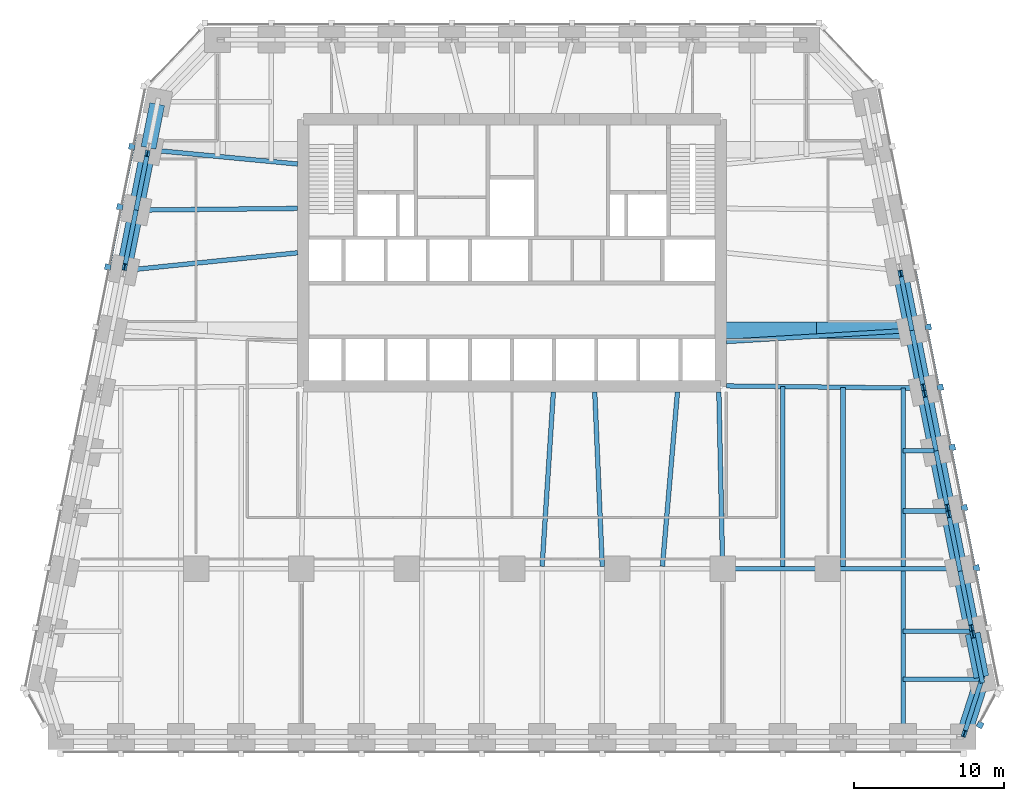
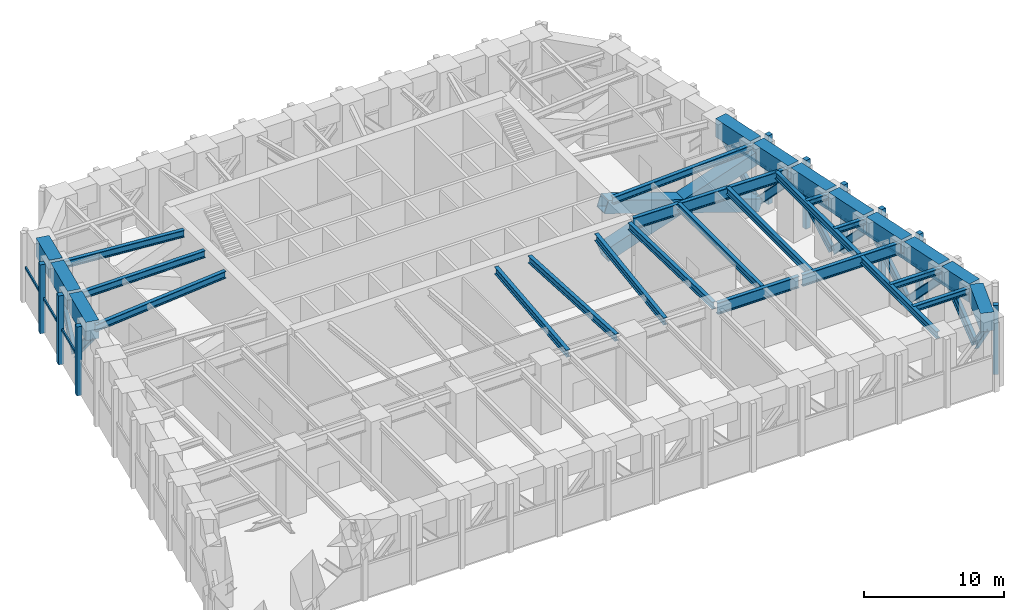
# One storey, part 3 of 9: 30 beams, 30 members, 3 elements without a shape of their own.
"""IFC4 building model written with IfcOpenShell, lengths in metres."""

from ifc_helpers import new_model, si_unit, direction, frame, origin, origin_2d, place, context, subcontext, project, spatial, rectangle, hollow_rectangle, i_section, extrude, material, material_profile, profile_set, type_object, element, aggregate, save


model = new_model("IFC4")

# Units and contexts
model_context = context("Model", 3, precision=1e-05, world=origin(), true_north=direction((0.0, 1.0)))
body_context = subcontext(model_context, "Body", "Model", "MODEL_VIEW")
ifc_project = project(units=[si_unit("LENGTHUNIT", "METRE"), si_unit("AREAUNIT", "SQUARE_METRE"), si_unit("VOLUMEUNIT", "CUBIC_METRE"), si_unit("PLANEANGLEUNIT", "RADIAN"), si_unit("MASSUNIT", "GRAM", prefix="KILO")], contexts=[model_context])

# Site, building, storey
site_placement = place(None, origin())
site = spatial("IfcSite", under=ifc_project, at=site_placement, CompositionType="ELEMENT")
building_placement = place(site_placement, origin())
building = spatial("IfcBuilding", under=site, at=building_placement, Name="Isbrekke Arena Tower", CompositionType="ELEMENT")
storey_placement = place(building_placement, frame((0.0, 0.0, 167.0)))
storey = spatial("IfcBuildingStorey", under=building, at=storey_placement, Name="L38", CompositionType="ELEMENT", Elevation=167.0)

# Beams
ifc_material_1 = material(Name="Steel S355", Category="steel")
ifc_material_profile_1 = material_profile(ifc_material_1, i_section(OverallWidth=0.304931640625, OverallDepth=0.6201171875, WebThickness=0.02099609375, FlangeThickness=0.0400390625, FilletRadius=0.027099609375, at=origin_2d()), Name="HEM 600")
ifc_profile_set_1 = profile_set([ifc_material_profile_1], Name="Steel S355")
beam_type_1 = type_object("IfcBeamType", Name="B4 HEM 600", PredefinedType="BEAM", material=ifc_profile_set_1)
beam_1_placement = place(storey_placement, frame((26.0, -17.02490234375, 5.489990234375), z_axis=(0.0, 1.0, 0.0), x_axis=(-1.0, 0.0, 0.0)))
element("IfcBeam", 1, at=beam_1_placement, inside=storey, type_object=beam_type_1, Name="B4 beam S-S15 L38", PredefinedType="BEAM", context=body_context, shape_type="SweptSolid", body=[
    extrude(i_section(OverallWidth=0.304931640625, OverallDepth=0.6201171875, WebThickness=0.02099609375, FlangeThickness=0.0400390625, FilletRadius=0.027099609375, at=origin_2d()), origin(), (0.0, 0.0, 1.0), 10.8740234375),
])
beam_2_placement = place(storey_placement, frame((2.000732421875, -5.839111328125, 5.489990234375), z_axis=(0.064518019507, 0.997916542181, 0.0), x_axis=(-0.997916542181, 0.064518019507, 0.0)))
element("IfcBeam", 2, at=beam_2_placement, inside=storey, type_object=beam_type_1, Name="B4 beam C-M08 L38", PredefinedType="BEAM", context=body_context, shape_type="SweptSolid", body=[
    extrude(i_section(OverallWidth=0.304931640625, OverallDepth=0.6201171875, WebThickness=0.02099609375, FlangeThickness=0.0400390625, FilletRadius=0.027099609375, at=origin_2d()), origin(), (0.0, 0.0, 1.0), 11.61328125),
])
beam_3_placement = place(storey_placement, frame((5.999755859375, -5.842529296875, 5.489990234375), z_axis=(-0.043070161667, 0.999072050041, 0.0), x_axis=(-0.999072050041, -0.043070161667, 0.0)))
element("IfcBeam", 3, at=beam_3_placement, inside=storey, type_object=beam_type_1, Name="B4 beam C-M09 L38", PredefinedType="BEAM", context=body_context, shape_type="SweptSolid", body=[
    extrude(i_section(OverallWidth=0.304931640625, OverallDepth=0.6201171875, WebThickness=0.02099609375, FlangeThickness=0.0400390625, FilletRadius=0.027099609375, at=origin_2d()), origin(), (0.0, 0.0, 1.0), 11.603271484375),
])
beam_4_placement = place(storey_placement, frame((10.001220703125, -5.8359375, 5.489990234375), z_axis=(0.085887623552, 0.996304830923, 0.0), x_axis=(-0.996304830923, 0.085887623552, 0.0)))
element("IfcBeam", 4, at=beam_4_placement, inside=storey, type_object=beam_type_1, Name="B4 beam C-M10 L38", PredefinedType="BEAM", context=body_context, shape_type="SweptSolid", body=[
    extrude(i_section(OverallWidth=0.304931640625, OverallDepth=0.6201171875, WebThickness=0.02099609375, FlangeThickness=0.0400390625, FilletRadius=0.027099609375, at=origin_2d()), origin(), (0.0, 0.0, 1.0), 11.62890625),
])
beam_5_placement = place(storey_placement, frame((14.0, -5.8466796875, 5.489990234375), z_axis=(-0.021552887044, 0.999767709551, 0.0), x_axis=(-0.999767709551, -0.021552887044, 0.0)))
element("IfcBeam", 5, at=beam_5_placement, inside=storey, type_object=beam_type_1, Name="B4 beam C-M11 L38", PredefinedType="BEAM", context=body_context, shape_type="SweptSolid", body=[
    extrude(i_section(OverallWidth=0.304931640625, OverallDepth=0.6201171875, WebThickness=0.02099609375, FlangeThickness=0.0400390625, FilletRadius=0.027099609375, at=origin_2d()), origin(), (0.0, 0.0, 1.0), 11.599365234375),
])
beam_6_placement = place(storey_placement, frame((18.0, -5.84912109375, 5.489990234375), z_axis=(0.0, 1.0, 0.0), x_axis=(-1.0, 0.0, 0.0)))
element("IfcBeam", 6, at=beam_6_placement, inside=storey, type_object=beam_type_1, Name="B4 beam C-M12 L38", PredefinedType="BEAM", context=body_context, shape_type="SweptSolid", body=[
    extrude(i_section(OverallWidth=0.304931640625, OverallDepth=0.6201171875, WebThickness=0.02099609375, FlangeThickness=0.0400390625, FilletRadius=0.027099609375, at=origin_2d()), origin(), (0.0, 0.0, 1.0), 11.956298828125),
])
beam_7_placement = place(storey_placement, frame((22.0, -5.84912109375, 5.489990234375), z_axis=(0.0, 1.0, 0.0), x_axis=(-1.0, 0.0, 0.0)))
element("IfcBeam", 7, at=beam_7_placement, inside=storey, type_object=beam_type_1, Name="B4 beam C-M13 L38", PredefinedType="BEAM", context=body_context, shape_type="SweptSolid", body=[
    extrude(i_section(OverallWidth=0.304931640625, OverallDepth=0.6201171875, WebThickness=0.02099609375, FlangeThickness=0.0400390625, FilletRadius=0.027099609375, at=origin_2d()), origin(), (0.0, 0.0, 1.0), 11.91064453125),
])
beam_8_placement = place(storey_placement, frame((26.0, -5.84912109375, 5.489990234375), z_axis=(0.0, 1.0, 0.0), x_axis=(-1.0, 0.0, 0.0)))
element("IfcBeam", 8, at=beam_8_placement, inside=storey, type_object=beam_type_1, Name="B4 beam C-M14 L38", PredefinedType="BEAM", context=body_context, shape_type="SweptSolid", body=[
    extrude(i_section(OverallWidth=0.304931640625, OverallDepth=0.6201171875, WebThickness=0.02099609375, FlangeThickness=0.0400390625, FilletRadius=0.027099609375, at=origin_2d()), origin(), (0.0, 0.0, 1.0), 11.864990234375),
])
beam_9_placement = place(storey_placement, frame((26.431884765625, 9.837646484375, 5.489990234375), z_axis=(-0.998172191876, -0.060434057993, 0.0), x_axis=(0.060434057993, -0.998172191876, 0.0)))
element("IfcBeam", 9, at=beam_9_placement, inside=storey, type_object=beam_type_1, Name="B4 beam E-E07 L38", PredefinedType="BEAM", context=body_context, shape_type="SweptSolid", body=[
    extrude(i_section(OverallWidth=0.304931640625, OverallDepth=0.6201171875, WebThickness=0.02099609375, FlangeThickness=0.0400390625, FilletRadius=0.027099609375, at=origin_2d()), origin(), (0.0, 0.0, 1.0), 12.2041015625),
])
beam_10_placement = place(storey_placement, frame((-24.026611328125, 21.8369140625, 5.489990234375), z_axis=(0.995438539788, -0.095404997271, 0.0), x_axis=(0.095404997271, 0.995438539788, 0.0)))
element("IfcBeam", 10, at=beam_10_placement, inside=storey, type_object=beam_type_1, Name="B4 beam E-W02 L38", PredefinedType="BEAM", context=body_context, shape_type="SweptSolid", body=[
    extrude(i_section(OverallWidth=0.304931640625, OverallDepth=0.6201171875, WebThickness=0.02099609375, FlangeThickness=0.0400390625, FilletRadius=0.027099609375, at=origin_2d()), origin(), (0.0, 0.0, 1.0), 9.821533203125),
])
beam_11_placement = place(storey_placement, frame((-24.83935546875, 17.838134765625, 5.489990234375), z_axis=(0.999944255029, 0.010558732623, 0.0), x_axis=(-0.010558732623, 0.999944255029, 0.0)))
element("IfcBeam", 11, at=beam_11_placement, inside=storey, type_object=beam_type_1, Name="B4 beam E-W03 L38", PredefinedType="BEAM", context=body_context, shape_type="SweptSolid", body=[
    extrude(i_section(OverallWidth=0.304931640625, OverallDepth=0.6201171875, WebThickness=0.02099609375, FlangeThickness=0.0400390625, FilletRadius=0.027099609375, at=origin_2d()), origin(), (0.0, 0.0, 1.0), 10.58984375),
])
beam_12_placement = place(storey_placement, frame((-25.625732421875, 13.83984375, 5.489990234375), z_axis=(0.994839729543, 0.101458920373, 0.0), x_axis=(-0.101458920373, 0.994839729543, 0.0)))
element("IfcBeam", 12, at=beam_12_placement, inside=storey, type_object=beam_type_1, Name="B4 beam E-W04 L38", PredefinedType="BEAM", context=body_context, shape_type="SweptSolid", body=[
    extrude(i_section(OverallWidth=0.304931640625, OverallDepth=0.6201171875, WebThickness=0.02099609375, FlangeThickness=0.0400390625, FilletRadius=0.027099609375, at=origin_2d()), origin(), (0.0, 0.0, 1.0), 11.434814453125),
])
ifc_material_2 = material(Name="Steel S355", Category="steel")
ifc_material_profile_2 = material_profile(ifc_material_2, i_section(OverallWidth=0.305908203125, OverallDepth=0.52392578125, WebThickness=0.02099609375, FlangeThickness=0.0400390625, FilletRadius=0.027099609375, at=origin_2d()), Name="HEM 500")
ifc_profile_set_2 = profile_set([ifc_material_profile_2], Name="Steel S355")
beam_type_2 = type_object("IfcBeamType", Name="B5 HEM 500", PredefinedType="BEAM", material=ifc_profile_set_2)
beam_13_placement = place(storey_placement, frame((31.079345703125, -13.352783203125, 5.5380859375), z_axis=(-1.0, 0.0, 0.0), x_axis=(0.0, -1.0, 0.0)))
element("IfcBeam", 13, at=beam_13_placement, inside=storey, type_object=beam_type_2, Name="B5 beam E-E01 L38", PredefinedType="BEAM", context=body_context, shape_type="SweptSolid", body=[
    extrude(i_section(OverallWidth=0.305908203125, OverallDepth=0.52392578125, WebThickness=0.02099609375, FlangeThickness=0.0400390625, FilletRadius=0.027099609375, at=origin_2d()), origin(), (0.0, 0.0, 1.0), 5.079345703125),
])
beam_14_placement = place(storey_placement, frame((30.44091796875, -10.161865234375, 5.5380859375), z_axis=(-1.0, 0.0, 0.0), x_axis=(0.0, -1.0, 0.0)))
element("IfcBeam", 14, at=beam_14_placement, inside=storey, type_object=beam_type_2, Name="B5 beam E-E02 L38", PredefinedType="BEAM", context=body_context, shape_type="SweptSolid", body=[
    extrude(i_section(OverallWidth=0.305908203125, OverallDepth=0.52392578125, WebThickness=0.02099609375, FlangeThickness=0.0400390625, FilletRadius=0.027099609375, at=origin_2d()), origin(), (0.0, 0.0, 1.0), 4.44091796875),
])
beam_15_placement = place(storey_placement, frame((28.841064453125, -2.161865234375, 5.5380859375), z_axis=(-1.0, 0.0, 0.0), x_axis=(0.0, -1.0, 0.0)))
element("IfcBeam", 15, at=beam_15_placement, inside=storey, type_object=beam_type_2, Name="B5 beam E-E04 L38", PredefinedType="BEAM", context=body_context, shape_type="SweptSolid", body=[
    extrude(i_section(OverallWidth=0.305908203125, OverallDepth=0.52392578125, WebThickness=0.02099609375, FlangeThickness=0.0400390625, FilletRadius=0.027099609375, at=origin_2d()), origin(), (0.0, 0.0, 1.0), 2.841064453125),
])
beam_16_placement = place(storey_placement, frame((28.041015625, 1.838134765625, 5.5380859375), z_axis=(-1.0, 0.0, 0.0), x_axis=(0.0, -1.0, 0.0)))
element("IfcBeam", 16, at=beam_16_placement, inside=storey, type_object=beam_type_2, Name="B5 beam E-E05 L38", PredefinedType="BEAM", context=body_context, shape_type="SweptSolid", body=[
    extrude(i_section(OverallWidth=0.305908203125, OverallDepth=0.52392578125, WebThickness=0.02099609375, FlangeThickness=0.0400390625, FilletRadius=0.027099609375, at=origin_2d()), origin(), (0.0, 0.0, 1.0), 2.041015625),
])

# Members
ifc_material_3 = material(Name="Steel S355", Category="steel")
ifc_material_profile_3 = material_profile(ifc_material_3, i_section(OverallWidth=0.304931640625, OverallDepth=0.6201171875, WebThickness=0.02099609375, FlangeThickness=0.0400390625, FilletRadius=0.027099609375, at=origin_2d()), Name="HEM 600")
ifc_profile_set_3 = profile_set([ifc_material_profile_3], Name="Steel S355")
member_type_1 = type_object("IfcMemberType", Name="BT1 HEM 600", PredefinedType="BRACE", material=ifc_profile_set_3)
member_1_placement = place(storey_placement, frame((30.06689453125, -16.96728515625, 4.666259765625), z_axis=(0.208935562442, 0.649714556176, -0.730901447694), x_axis=(-0.951986403059, 0.306140308339, 0.0)))
element("IfcMember", 17, at=member_1_placement, inside=storey, type_object=member_type_1, Name="BT1 belt truss diagonal S16 L38", PredefinedType="BRACE", context=body_context, shape_type="SweptSolid", body=[
    extrude(i_section(OverallWidth=0.304931640625, OverallDepth=0.6201171875, WebThickness=0.02099609375, FlangeThickness=0.0400390625, FilletRadius=0.027099609375, at=origin_2d()), origin(), (0.0, 0.0, 1.0), 5.563232421875),
])
member_2_placement = place(storey_placement, frame((31.229248046875, -13.352783203125, 0.60009765625), z_axis=(-0.118346606157, 0.591733030783, 0.79739958684), x_axis=(-0.980580675691, -0.196116135138, 0.0)))
element("IfcMember", 18, at=member_2_placement, inside=storey, type_object=member_type_1, Name="BT1 belt truss diagonal E01 L38", PredefinedType="BRACE", context=body_context, shape_type="SweptSolid", body=[
    extrude(i_section(OverallWidth=0.304931640625, OverallDepth=0.6201171875, WebThickness=0.02099609375, FlangeThickness=0.0400390625, FilletRadius=0.027099609375, at=origin_2d()), origin(), (0.0, 0.0, 1.0), 5.0439453125),
])
for number, where, z_axis, x_axis, name in (
    (19, (30.548095703125, -9.947265625, 4.66943359375), (-0.134973713861, 0.674868569303, -0.725489152734), (-0.980580675691, -0.196116135138, 0.0), "BT1 belt truss diagonal E02 L38"),
    (20, (29.791015625, -6.161865234375, 0.60009765625), (-0.134973713861, 0.674868569303, 0.725489152734), (-0.980580675691, -0.196116135138, 0.0), "BT1 belt truss diagonal E03 L38"),
    (21, (28.947998046875, -1.947265625, 4.66943359375), (-0.134973713861, 0.674868569303, -0.725489152734), (-0.980580675691, -0.196116135138, 0.0), "BT1 belt truss diagonal E04 L38"),
    (22, (28.19091796875, 1.838134765625, 0.60009765625), (-0.134973713861, 0.674868569303, 0.725489152734), (-0.980580675691, -0.196116135138, 0.0), "BT1 belt truss diagonal E05 L38"),
    (23, (27.34814453125, 6.052734375, 4.66943359375), (-0.134973713861, 0.674868569303, -0.725489152734), (-0.980580675691, -0.196116135138, 0.0), "BT1 belt truss diagonal E06 L38"),
    (24, (26.591064453125, 9.838134765625, 0.60009765625), (-0.134973713861, 0.674868569303, 0.725489152734), (-0.980580675691, -0.196116135138, 0.0), "BT1 belt truss diagonal E07 L38"),
    (25, (-24.23388671875, 21.62353515625, 4.66943359375), (-0.134973713861, -0.674868569303, -0.725489152734), (0.980580675691, -0.196116135138, 0.0), "BT1 belt truss diagonal W02 L38"),
    (26, (-24.990966796875, 17.838134765625, 0.60009765625), (-0.134973713861, -0.674868569303, 0.725489152734), (0.980580675691, -0.196116135138, 0.0), "BT1 belt truss diagonal W03 L38"),
):
    element("IfcMember", number, at=place(storey_placement, frame(where, z_axis=z_axis, x_axis=x_axis)), inside=storey, type_object=member_type_1, Name=name, PredefinedType="BRACE", context=body_context, shape_type="SweptSolid", body=[
        extrude(i_section(OverallWidth=0.304931640625, OverallDepth=0.6201171875, WebThickness=0.02099609375, FlangeThickness=0.0400390625, FilletRadius=0.027099609375, at=origin_2d()), origin(), (0.0, 0.0, 1.0), 5.609130859375),
    ])

# Curtain wall, member
ifc_material_4 = material(Name="Glazed aluminium curtain wall", Category="aluminium")
curtain_wall_type = type_object("IfcCurtainWallType", Name="CWR PLANT LOUVRE WALL", PredefinedType="USERDEFINED", material=ifc_material_4)
curtain_wall_1_placement = place(storey_placement, origin())
curtain_wall_1 = element("IfcCurtainWall", 27, at=curtain_wall_1_placement, inside=storey, type_object=curtain_wall_type, Name="CWR curtain wall L38-SE", ObjectType="PLANT LOUVRE WALL", PredefinedType="USERDEFINED")
ifc_material_5 = material(Name="Aluminium mullion, pale brick slip cladding", Category="masonry")
ifc_material_profile_4 = material_profile(ifc_material_5, rectangle(XDim=0.39990234375, YDim=0.39990234375, at=origin_2d()), Name="PIER 400X400")
ifc_profile_set_4 = profile_set([ifc_material_profile_4], Name="Aluminium mullion, pale brick slip cladding")
member_type_2 = type_object("IfcMemberType", Name="CWR-M PIER MULLION 400 x 400", PredefinedType="MULLION", material=ifc_profile_set_4)
member_3_placement = place(storey_placement, frame((31.119384765625, -16.3798828125, 0.0), z_axis=(0.0, 0.0, 1.0), x_axis=(0.481918749773, 0.876215908676, 0.0)))
member_3 = element("IfcMember", 28, at=member_3_placement, type_object=member_type_2, Name="CWR-M mullion 1", PredefinedType="MULLION", context=body_context, shape_type="SweptSolid", body=[
    extrude(rectangle(XDim=0.39990234375, YDim=0.39990234375, at=origin_2d()), origin(), (0.0, 0.0, 1.0), 6.0),
])
aggregate(curtain_wall_1, [member_3])

# Curtain wall, members
curtain_wall_2_placement = place(storey_placement, origin())
curtain_wall_2 = element("IfcCurtainWall", 29, at=curtain_wall_2_placement, inside=storey, type_object=curtain_wall_type, Name="CWR curtain wall L38-E", ObjectType="PLANT LOUVRE WALL", PredefinedType="USERDEFINED")
member_4_placement = place(storey_placement, frame((30.86962890625, -5.946044921875, 0.0), z_axis=(0.0, 0.0, 1.0), x_axis=(-0.196116135138, 0.980580675691, 0.0)))
member_4 = element("IfcMember", 30, at=member_4_placement, type_object=member_type_2, Name="CWR-M mullion 3", PredefinedType="MULLION", context=body_context, shape_type="SweptSolid", body=[
    extrude(rectangle(XDim=0.39990234375, YDim=0.39990234375, at=origin_2d()), origin(), (0.0, 0.0, 1.0), 6.0),
])
member_5_placement = place(storey_placement, frame((30.069580078125, -1.946044921875, 0.0), z_axis=(0.0, 0.0, 1.0), x_axis=(-0.196116135138, 0.980580675691, 0.0)))
member_5 = element("IfcMember", 31, at=member_5_placement, type_object=member_type_2, Name="CWR-M mullion 4", PredefinedType="MULLION", context=body_context, shape_type="SweptSolid", body=[
    extrude(rectangle(XDim=0.39990234375, YDim=0.39990234375, at=origin_2d()), origin(), (0.0, 0.0, 1.0), 6.0),
])
member_6_placement = place(storey_placement, frame((29.269775390625, 2.053955078125, 0.0), z_axis=(0.0, 0.0, 1.0), x_axis=(-0.196116135138, 0.980580675691, 0.0)))
member_6 = element("IfcMember", 32, at=member_6_placement, type_object=member_type_2, Name="CWR-M mullion 5", PredefinedType="MULLION", context=body_context, shape_type="SweptSolid", body=[
    extrude(rectangle(XDim=0.39990234375, YDim=0.39990234375, at=origin_2d()), origin(), (0.0, 0.0, 1.0), 6.0),
])
member_7_placement = place(storey_placement, frame((28.4697265625, 6.053955078125, 0.0), z_axis=(0.0, 0.0, 1.0), x_axis=(-0.196116135138, 0.980580675691, 0.0)))
member_7 = element("IfcMember", 33, at=member_7_placement, type_object=member_type_2, Name="CWR-M mullion 6", PredefinedType="MULLION", context=body_context, shape_type="SweptSolid", body=[
    extrude(rectangle(XDim=0.39990234375, YDim=0.39990234375, at=origin_2d()), origin(), (0.0, 0.0, 1.0), 6.0),
])
member_8_placement = place(storey_placement, frame((27.669677734375, 10.053955078125, 0.0), z_axis=(0.0, 0.0, 1.0), x_axis=(-0.196116135138, 0.980580675691, 0.0)))
member_8 = element("IfcMember", 34, at=member_8_placement, type_object=member_type_2, Name="CWR-M mullion 7", PredefinedType="MULLION", context=body_context, shape_type="SweptSolid", body=[
    extrude(rectangle(XDim=0.39990234375, YDim=0.39990234375, at=origin_2d()), origin(), (0.0, 0.0, 1.0), 6.0),
])

curtain_wall_3_placement = place(storey_placement, origin())
curtain_wall_3 = element("IfcCurtainWall", 35, at=curtain_wall_3_placement, inside=storey, type_object=curtain_wall_type, Name="CWR curtain wall L38-W", ObjectType="PLANT LOUVRE WALL", PredefinedType="USERDEFINED")
member_9_placement = place(storey_placement, frame((-25.269775390625, 22.053955078125, 0.0), z_axis=(0.0, 0.0, 1.0), x_axis=(-0.196116135138, -0.980580675691, 0.0)))
member_9 = element("IfcMember", 36, at=member_9_placement, type_object=member_type_2, Name="CWR-M mullion 2", PredefinedType="MULLION", context=body_context, shape_type="SweptSolid", body=[
    extrude(rectangle(XDim=0.39990234375, YDim=0.39990234375, at=origin_2d()), origin(), (0.0, 0.0, 1.0), 6.0),
])
member_10_placement = place(storey_placement, frame((-26.069580078125, 18.053955078125, 0.0), z_axis=(0.0, 0.0, 1.0), x_axis=(-0.196116135138, -0.980580675691, 0.0)))
member_10 = element("IfcMember", 37, at=member_10_placement, type_object=member_type_2, Name="CWR-M mullion 3", PredefinedType="MULLION", context=body_context, shape_type="SweptSolid", body=[
    extrude(rectangle(XDim=0.39990234375, YDim=0.39990234375, at=origin_2d()), origin(), (0.0, 0.0, 1.0), 6.0),
])
member_11_placement = place(storey_placement, frame((-26.86962890625, 14.053955078125, 0.0), z_axis=(0.0, 0.0, 1.0), x_axis=(-0.196116135138, -0.980580675691, 0.0)))
member_11 = element("IfcMember", 38, at=member_11_placement, type_object=member_type_2, Name="CWR-M mullion 4", PredefinedType="MULLION", context=body_context, shape_type="SweptSolid", body=[
    extrude(rectangle(XDim=0.39990234375, YDim=0.39990234375, at=origin_2d()), origin(), (0.0, 0.0, 1.0), 6.0),
])

# Member
ifc_material_6 = material(Name="Aluminium transom", Category="aluminium")
ifc_material_profile_5 = material_profile(ifc_material_6, rectangle(XDim=0.1201171875, YDim=0.199951171875, at=origin_2d()), Name="TRANSOM 120X200")
ifc_profile_set_5 = profile_set([ifc_material_profile_5], Name="Aluminium transom")
member_type_3 = type_object("IfcMemberType", Name="CWR-T TRANSOM 120 x 200", PredefinedType="USERDEFINED", material=ifc_profile_set_5)
member_12_placement = place(storey_placement, frame((31.532470703125, -9.76953125, 3.0), z_axis=(-0.196154418484, 0.980573018245, 0.0), x_axis=(-0.980573018245, -0.196154418484, 0.0)))
member_12 = element("IfcMember", 39, at=member_12_placement, type_object=member_type_3, Name="CWR-T transom 2", ObjectType="TRANSOM", PredefinedType="USERDEFINED", context=body_context, shape_type="SweptSolid", body=[
    extrude(rectangle(XDim=0.1201171875, YDim=0.199951171875, at=origin_2d()), origin(), (0.0, 0.0, 1.0), 3.67919921875),
])

member_13_placement = place(storey_placement, frame((30.732421875, -5.76953125, 3.0), z_axis=(-0.196154418484, 0.980573018245, 0.0), x_axis=(-0.980573018245, -0.196154418484, 0.0)))
member_13 = element("IfcMember", 40, at=member_13_placement, type_object=member_type_3, Name="CWR-T transom 3", ObjectType="TRANSOM", PredefinedType="USERDEFINED", context=body_context, shape_type="SweptSolid", body=[
    extrude(rectangle(XDim=0.1201171875, YDim=0.199951171875, at=origin_2d()), origin(), (0.0, 0.0, 1.0), 3.67919921875),
])

member_14_placement = place(storey_placement, frame((29.932373046875, -1.76953125, 3.0), z_axis=(-0.19609061241, 0.980585779891, 0.0), x_axis=(-0.980585779891, -0.19609061241, 0.0)))
member_14 = element("IfcMember", 41, at=member_14_placement, type_object=member_type_3, Name="CWR-T transom 4", ObjectType="TRANSOM", PredefinedType="USERDEFINED", context=body_context, shape_type="SweptSolid", body=[
    extrude(rectangle(XDim=0.1201171875, YDim=0.199951171875, at=origin_2d()), origin(), (0.0, 0.0, 1.0), 3.67919921875),
])

member_15_placement = place(storey_placement, frame((29.13232421875, 2.23046875, 3.0), z_axis=(-0.19609061241, 0.980585779891, 0.0), x_axis=(-0.980585779891, -0.19609061241, 0.0)))
member_15 = element("IfcMember", 42, at=member_15_placement, type_object=member_type_3, Name="CWR-T transom 5", ObjectType="TRANSOM", PredefinedType="USERDEFINED", context=body_context, shape_type="SweptSolid", body=[
    extrude(rectangle(XDim=0.1201171875, YDim=0.199951171875, at=origin_2d()), origin(), (0.0, 0.0, 1.0), 3.67919921875),
])

member_16_placement = place(storey_placement, frame((28.332275390625, 6.23046875, 3.0), z_axis=(-0.19609061241, 0.980585779891, 0.0), x_axis=(-0.980585779891, -0.19609061241, 0.0)))
member_16 = element("IfcMember", 43, at=member_16_placement, type_object=member_type_3, Name="CWR-T transom 6", ObjectType="TRANSOM", PredefinedType="USERDEFINED", context=body_context, shape_type="SweptSolid", body=[
    extrude(rectangle(XDim=0.1201171875, YDim=0.199951171875, at=origin_2d()), origin(), (0.0, 0.0, 1.0), 3.67919921875),
])

member_17_placement = place(storey_placement, frame((27.532470703125, 10.23046875, 3.0), z_axis=(-0.196154418484, 0.980573018245, 0.0), x_axis=(-0.980573018245, -0.196154418484, 0.0)))
member_17 = element("IfcMember", 44, at=member_17_placement, type_object=member_type_3, Name="CWR-T transom 7", ObjectType="TRANSOM", PredefinedType="USERDEFINED", context=body_context, shape_type="SweptSolid", body=[
    extrude(rectangle(XDim=0.1201171875, YDim=0.199951171875, at=origin_2d()), origin(), (0.0, 0.0, 1.0), 3.67919921875),
])

aggregate(curtain_wall_2, [member_4, member_5, member_6, member_7, member_8, member_12, member_13, member_14, member_15, member_16, member_17])

member_18_placement = place(storey_placement, frame((-24.410888671875, 25.838134765625, 3.0), z_axis=(-0.19609061241, -0.980585779891, 0.0), x_axis=(0.980585779891, -0.19609061241, 0.0)))
member_18 = element("IfcMember", 45, at=member_18_placement, type_object=member_type_3, Name="CWR-T transom 1", ObjectType="TRANSOM", PredefinedType="USERDEFINED", context=body_context, shape_type="SweptSolid", body=[
    extrude(rectangle(XDim=0.1201171875, YDim=0.199951171875, at=origin_2d()), origin(), (0.0, 0.0, 1.0), 3.67919921875),
])

member_19_placement = place(storey_placement, frame((-25.2109375, 21.838134765625, 3.0), z_axis=(-0.19609061241, -0.980585779891, 0.0), x_axis=(0.980585779891, -0.19609061241, 0.0)))
member_19 = element("IfcMember", 46, at=member_19_placement, type_object=member_type_3, Name="CWR-T transom 2", ObjectType="TRANSOM", PredefinedType="USERDEFINED", context=body_context, shape_type="SweptSolid", body=[
    extrude(rectangle(XDim=0.1201171875, YDim=0.199951171875, at=origin_2d()), origin(), (0.0, 0.0, 1.0), 3.67919921875),
])

member_20_placement = place(storey_placement, frame((-26.0107421875, 17.838134765625, 3.0), z_axis=(-0.196154418484, -0.980573018245, 0.0), x_axis=(0.980573018245, -0.196154418484, 0.0)))
member_20 = element("IfcMember", 47, at=member_20_placement, type_object=member_type_3, Name="CWR-T transom 3", ObjectType="TRANSOM", PredefinedType="USERDEFINED", context=body_context, shape_type="SweptSolid", body=[
    extrude(rectangle(XDim=0.1201171875, YDim=0.199951171875, at=origin_2d()), origin(), (0.0, 0.0, 1.0), 3.67919921875),
])

aggregate(curtain_wall_3, [member_9, member_10, member_11, member_18, member_19, member_20])

# Beams
ifc_material_7 = material(Name="Steel S355", Category="steel")
ifc_material_profile_6 = material_profile(ifc_material_7, i_section(OverallWidth=0.302001953125, OverallDepth=1.008056640625, WebThickness=0.02099609375, FlangeThickness=0.0400390625, FilletRadius=0.030029296875, at=origin_2d()), Name="HEM 1000")
ifc_profile_set_6 = profile_set([ifc_material_profile_6], Name="Steel S355")
beam_type_3 = type_object("IfcBeamType", Name="G1 HEM 1000", PredefinedType="BEAM", material=ifc_profile_set_6)
beam_17_placement = place(storey_placement, frame((14.14990234375, -6.0, 5.2958984375), z_axis=(1.0, 0.0, 0.0), x_axis=(0.0, 1.0, 0.0)))
element("IfcBeam", 48, at=beam_17_placement, inside=storey, type_object=beam_type_3, Name="G1 beam G1-07 L38", PredefinedType="BEAM", context=body_context, shape_type="SweptSolid", body=[
    extrude(i_section(OverallWidth=0.302001953125, OverallDepth=1.008056640625, WebThickness=0.02099609375, FlangeThickness=0.0400390625, FilletRadius=0.030029296875, at=origin_2d()), origin(), (0.0, 0.0, 1.0), 6.7001953125),
])
beam_18_placement = place(storey_placement, frame((21.14990234375, -6.0, 5.2958984375), z_axis=(1.0, 0.0, 0.0), x_axis=(0.0, 1.0, 0.0)))
element("IfcBeam", 49, at=beam_18_placement, inside=storey, type_object=beam_type_3, Name="G1 beam G1-08 L38", PredefinedType="BEAM", context=body_context, shape_type="SweptSolid", body=[
    extrude(i_section(OverallWidth=0.302001953125, OverallDepth=1.008056640625, WebThickness=0.02099609375, FlangeThickness=0.0400390625, FilletRadius=0.030029296875, at=origin_2d()), origin(), (0.0, 0.0, 1.0), 8.64111328125),
])
ifc_material_8 = material(Name="Steel S355", Category="steel")
ifc_material_profile_7 = material_profile(ifc_material_8, i_section(OverallWidth=0.302001953125, OverallDepth=1.008056640625, WebThickness=0.02099609375, FlangeThickness=0.0400390625, FilletRadius=0.030029296875, at=origin_2d()), Name="HEM 1000")
ifc_profile_set_7 = profile_set([ifc_material_profile_7], Name="Steel S355")
beam_type_4 = type_object("IfcBeamType", Name="G2 HEM 1000", PredefinedType="BEAM", material=ifc_profile_set_7)
beam_19_placement = place(storey_placement, frame((14.25, 6.14990234375, 5.2958984375), z_axis=(0.999934928157, -0.011407867963, 0.0), x_axis=(0.011407867963, 0.999934928157, 0.0)))
element("IfcBeam", 50, at=beam_19_placement, inside=storey, type_object=beam_type_4, Name="G2 beam G2-E L38", PredefinedType="BEAM", context=body_context, shape_type="SweptSolid", body=[
    extrude(i_section(OverallWidth=0.302001953125, OverallDepth=1.008056640625, WebThickness=0.02099609375, FlangeThickness=0.0400390625, FilletRadius=0.030029296875, at=origin_2d()), origin(), (0.0, 0.0, 1.0), 13.140380859375),
])

# Members
ifc_material_9 = material(Name="Steel S460", Category="steel")
ifc_material_profile_8 = material_profile(ifc_material_9, hollow_rectangle(XDim=1.10009765625, YDim=1.10009765625, WallThickness=0.050048828125, at=origin_2d()), Name="BOX 1100x1100x50")
ifc_profile_set_8 = profile_set([ifc_material_profile_8], Name="Steel S460")
member_type_4 = type_object("IfcMemberType", Name="OT1 BOX 1100x1100x50", PredefinedType="BRACE", material=ifc_profile_set_8)
for number, where, z_axis, x_axis, name in (
    (51, (13.875, 9.838134765625, 0.60009765625), (0.947308548872, 0.0, 0.320322514404), (0.0, 1.0, 0.0), "OT1 outrigger E L38 1"),
    (52, (13.875, 9.838134765625, 4.89990234375), (0.947308548872, 0.0, -0.320322514404), (0.0, 1.0, 0.0), "OT1 outrigger E L38 2"),
):
    element("IfcMember", number, at=place(storey_placement, frame(where, z_axis=z_axis, x_axis=x_axis)), inside=storey, type_object=member_type_4, Name=name, PredefinedType="BRACE", context=body_context, shape_type="SweptSolid", body=[
        extrude(hollow_rectangle(XDim=1.10009765625, YDim=1.10009765625, WallThickness=0.050048828125, at=origin_2d()), origin(), (0.0, 0.0, 1.0), 13.42333984375),
    ])

# Beams
ifc_material_10 = material(Name="Concrete B80 (C80/95)", Category="concrete")
ifc_material_profile_9 = material_profile(ifc_material_10, rectangle(XDim=1.0, YDim=1.60009765625, at=origin_2d()), Name="RC 1000x1600")
ifc_profile_set_9 = profile_set([ifc_material_profile_9], Name="Concrete B80 (C80/95)")
beam_type_5 = type_object("IfcBeamType", Name="SB2 RC 1000 x 1600", PredefinedType="SPANDREL", material=ifc_profile_set_9)
beam_20_placement = place(storey_placement, frame((30.0458984375, -17.0322265625, 5.199951171875), z_axis=(0.306175101476, 0.951975213562, 0.0), x_axis=(-0.951975213562, 0.306175101476, 0.0)))
element("IfcBeam", 53, at=beam_20_placement, inside=storey, type_object=beam_type_5, Name="SB2 spandrel S16-E01 L38", PredefinedType="SPANDREL", context=body_context, shape_type="SweptSolid", body=[
    extrude(rectangle(XDim=1.0, YDim=1.60009765625, at=origin_2d()), origin(), (0.0, 0.0, 1.0), 3.715087890625),
])
beam_21_placement = place(storey_placement, frame((31.19970703125, -13.205810546875, 5.199951171875), z_axis=(-0.196100243168, 0.980583853951, 0.0), x_axis=(-0.980583853951, -0.196100243168, 0.0)))
element("IfcBeam", 54, at=beam_21_placement, inside=storey, type_object=beam_type_5, Name="SB2 spandrel E01-E02 L38", PredefinedType="SPANDREL", context=body_context, shape_type="SweptSolid", body=[
    extrude(rectangle(XDim=1.0, YDim=1.60009765625, at=origin_2d()), origin(), (0.0, 0.0, 1.0), 2.954345703125),
])
beam_22_placement = place(storey_placement, frame((30.5615234375, -10.0146484375, 5.199951171875), z_axis=(-0.1960664412, 0.980590613169, 0.0), x_axis=(-0.980590613169, -0.1960664412, 0.0)))
element("IfcBeam", 55, at=beam_22_placement, inside=storey, type_object=beam_type_5, Name="SB2 spandrel E02-E03 L38", PredefinedType="SPANDREL", context=body_context, shape_type="SweptSolid", body=[
    extrude(rectangle(XDim=1.0, YDim=1.60009765625, at=origin_2d()), origin(), (0.0, 0.0, 1.0), 3.779052734375),
])
for number, where, z_axis, x_axis, name in (
    (56, (29.76171875, -6.0146484375, 5.199951171875), (-0.196128558387, 0.980578190959, 0.0), (-0.980578190959, -0.196128558387, 0.0), "SB2 spandrel E03-E04 L38"),
    (57, (28.961669921875, -2.0146484375, 5.199951171875), (-0.196128558387, 0.980578190959, 0.0), (-0.980578190959, -0.196128558387, 0.0), "SB2 spandrel E04-E05 L38"),
    (58, (28.16162109375, 1.9853515625, 5.199951171875), (-0.196128558387, 0.980578190959, 0.0), (-0.980578190959, -0.196128558387, 0.0), "SB2 spandrel E05-E06 L38"),
    (59, (27.361572265625, 5.9853515625, 5.199951171875), (-0.196128558387, 0.980578190959, 0.0), (-0.980578190959, -0.196128558387, 0.0), "SB2 spandrel E06-E07 L38"),
):
    element("IfcBeam", number, at=place(storey_placement, frame(where, z_axis=z_axis, x_axis=x_axis)), inside=storey, type_object=beam_type_5, Name=name, PredefinedType="SPANDREL", context=body_context, shape_type="SweptSolid", body=[
        extrude(rectangle(XDim=1.0, YDim=1.60009765625, at=origin_2d()), origin(), (0.0, 0.0, 1.0), 3.779296875),
    ])
beam_23_placement = place(storey_placement, frame((26.5615234375, 9.9853515625, 5.199951171875), z_axis=(-0.1960664412, 0.980590613169, 0.0), x_axis=(-0.980590613169, -0.1960664412, 0.0)))
element("IfcBeam", 60, at=beam_23_placement, inside=storey, type_object=beam_type_5, Name="SB2 spandrel E07-E08 L38", PredefinedType="SPANDREL", context=body_context, shape_type="SweptSolid", body=[
    extrude(rectangle(XDim=1.0, YDim=1.60009765625, at=origin_2d()), origin(), (0.0, 0.0, 1.0), 3.779052734375),
])
beam_24_placement = place(storey_placement, frame((-23.582275390625, 24.882080078125, 5.199951171875), z_axis=(-0.196116135138, -0.980580675691, 0.0), x_axis=(0.980580675691, -0.196116135138, 0.0)))
element("IfcBeam", 61, at=beam_24_placement, inside=storey, type_object=beam_type_5, Name="SB2 spandrel W01-W02 L38", PredefinedType="SPANDREL", context=body_context, shape_type="SweptSolid", body=[
    extrude(rectangle(XDim=1.0, YDim=1.60009765625, at=origin_2d()), origin(), (0.0, 0.0, 1.0), 2.9541015625),
])
for number, where, z_axis, x_axis, name in (
    (62, (-24.220458984375, 21.691162109375, 5.199951171875), (-0.196128558387, -0.980578190959, 0.0), (0.980578190959, -0.196128558387, 0.0), "SB2 spandrel W02-W03 L38"),
    (63, (-25.0205078125, 17.691162109375, 5.199951171875), (-0.196128558387, -0.980578190959, 0.0), (0.980578190959, -0.196128558387, 0.0), "SB2 spandrel W03-W04 L38"),
):
    element("IfcBeam", number, at=place(storey_placement, frame(where, z_axis=z_axis, x_axis=x_axis)), inside=storey, type_object=beam_type_5, Name=name, PredefinedType="SPANDREL", context=body_context, shape_type="SweptSolid", body=[
        extrude(rectangle(XDim=1.0, YDim=1.60009765625, at=origin_2d()), origin(), (0.0, 0.0, 1.0), 3.779296875),
    ])

save(model, "model.ifc")
